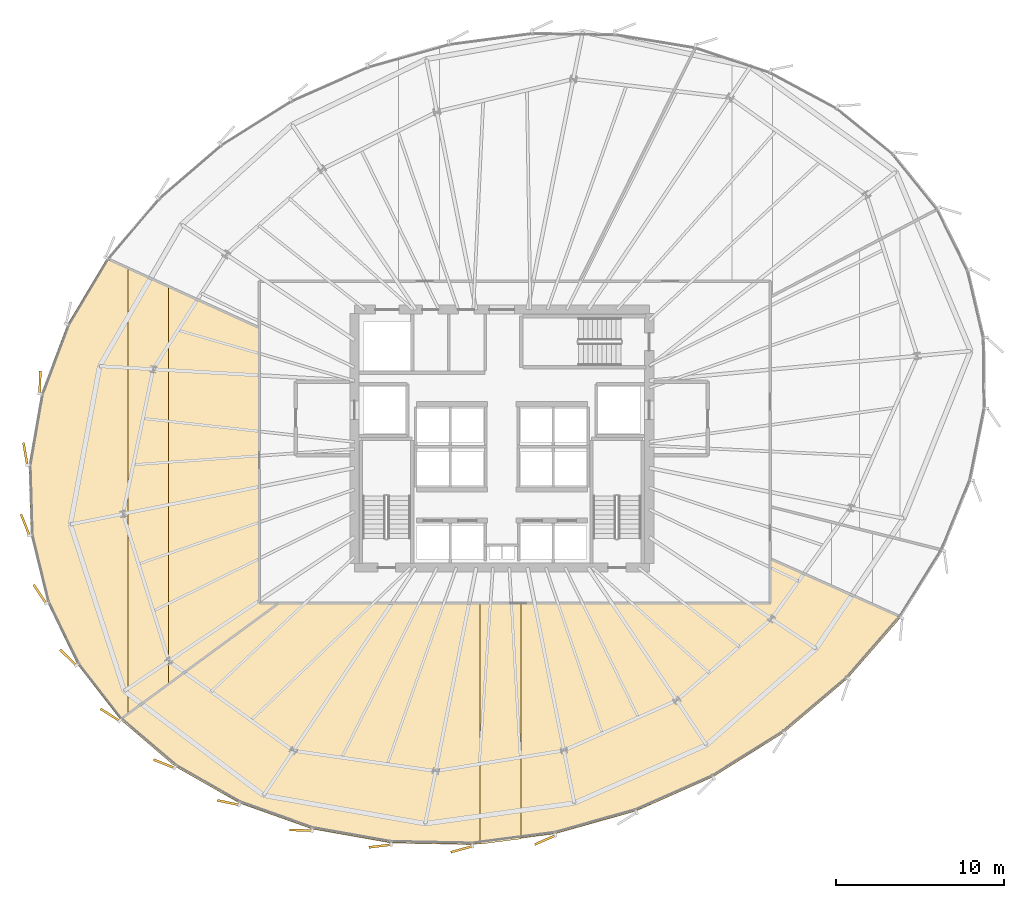
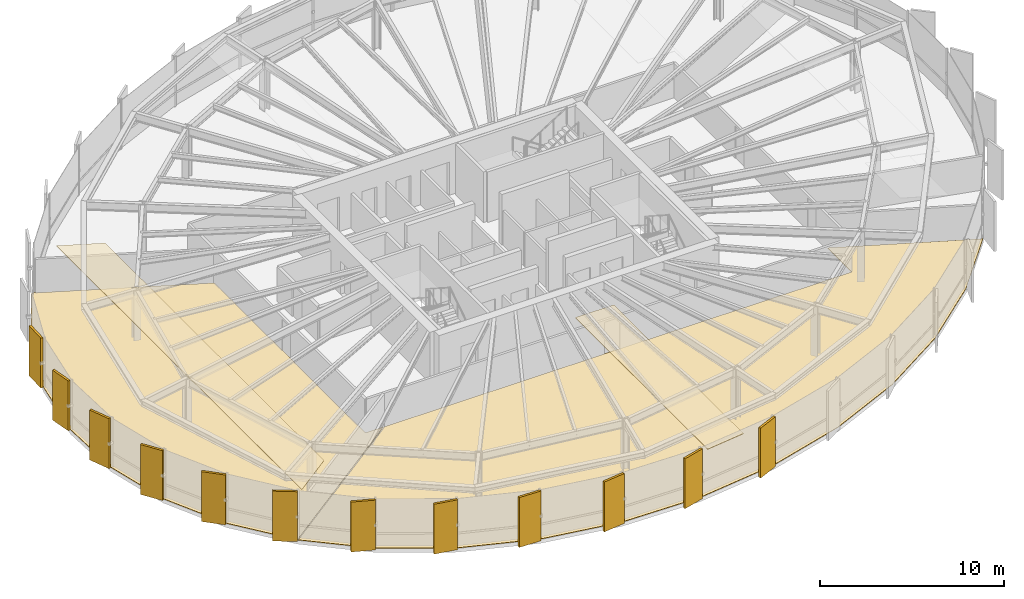
# One storey, part 30 of 33: 16 coverings.
"""IFC4 building model written with IfcOpenShell, lengths in metres."""

from ifc_helpers import new_model, si_unit, direction, frame, origin, origin_2d, place, context, subcontext, project, spatial, polyline, rectangle, outline, extrude, source, transform, mapped, material, layer, layer_set, type_object, element, save


model = new_model("IFC4")

# Units and contexts
model_context = context("Model", 3, precision=1e-05, world=origin(), true_north=direction((0.0, 1.0)))
body_context = subcontext(model_context, "Body", "Model", "MODEL_VIEW")
ifc_project = project(units=[si_unit("LENGTHUNIT", "METRE"), si_unit("AREAUNIT", "SQUARE_METRE"), si_unit("VOLUMEUNIT", "CUBIC_METRE"), si_unit("PLANEANGLEUNIT", "RADIAN"), si_unit("MASSUNIT", "GRAM", prefix="KILO"), si_unit("THERMODYNAMICTEMPERATUREUNIT", "KELVIN")], contexts=[model_context])

# Site, building, storey
site_placement = place(None, origin())
site = spatial("IfcSite", under=ifc_project, at=site_placement, CompositionType="ELEMENT")
building_placement = place(site_placement, origin())
building = spatial("IfcBuilding", under=site, at=building_placement, Name="Kethvar Cultural Tower", CompositionType="ELEMENT")
storey_placement = place(building_placement, frame((0.0, 0.0, 114.39990234375)))
storey = spatial("IfcBuildingStorey", under=building, at=storey_placement, Name="L28", CompositionType="ELEMENT", Elevation=114.39990234375)

# Coverings
ifc_material_1 = material(Name="Acoustic Mineral Fibre Ceiling")
ifc_layer_1 = layer(ifc_material_1, 0.0400390625, Name="Acoustic Mineral Fibre Ceiling")
ifc_layer_set_1 = layer_set([ifc_layer_1], Name="Acoustic Mineral Fibre Ceiling (40 mm)")
covering_type_1 = type_object("IfcCoveringType", Name="CV-ACOUSTIC-CEIL", PredefinedType="CEILING", material=ifc_layer_set_1)
covering_1_placement = place(storey_placement, frame((0.0, 0.0, 3.0)))
element("IfcCovering", 1, at=covering_1_placement, inside=storey, type_object=covering_type_1, Name="L28 Room 01 Acoustic Ceiling Panel", PredefinedType="CEILING", context=body_context, shape_type="SweptSolid", body=[
    extrude(outline(polyline([(45.506591796875, 3.58837890625), (45.506591796875, 18.0), (47.9365234375, 18.0), (47.9365234375, 3.904541015625), (45.506591796875, 3.58837890625)])), origin(), (0.0, 0.0, 1.0), 0.0400390625),
])
covering_2_placement = place(storey_placement, frame((0.0, 0.0, 3.0)))
element("IfcCovering", 2, at=covering_2_placement, inside=storey, type_object=covering_type_1, Name="L28 Room 06 Acoustic Ceiling Panel", PredefinedType="CEILING", context=body_context, shape_type="SweptSolid", body=[
    extrude(outline(polyline([(26.902587890625, 36.9033203125), (26.902587890625, 13.09814453125), (24.47265625, 11.305908203125), (24.47265625, 38.012451171875), (26.902587890625, 36.9033203125)])), origin(), (0.0, 0.0, 1.0), 0.0400390625),
])
ifc_material_2 = material(Name="Architectural Oak Timber", Category="wood")
ifc_layer_2 = layer(ifc_material_2, 0.02490234375, Name="Architectural Oak Timber", Category="wood")
ifc_layer_set_2 = layer_set([ifc_layer_2], Name="Architectural Oak Timber (25 mm)")
covering_type_2 = type_object("IfcCoveringType", Name="CV-OAK-FLOOR", PredefinedType="FLOORING", material=ifc_layer_set_2)
covering_3_placement = place(storey_placement, origin())
element("IfcCovering", 3, at=covering_3_placement, inside=storey, type_object=covering_type_2, Name="L28 Room 01 Floor Finish", PredefinedType="FLOORING", context=body_context, shape_type="SweptSolid", body=[
    extrude(outline(polyline([(67.42822265625, 13.47802734375), (63.65087890625, 10.267578125), (59.402587890625, 7.604736328125), (54.80419921875, 5.567626953125), (49.971923828125, 4.20947265625), (45.043212890625, 3.568359375), (40.168212890625, 3.663818359375), (35.49462890625, 4.492431640625), (31.164794921875, 6.029541015625), (27.310302734375, 8.227783203125), (24.06591796875, 11.005615234375), (33.493896484375, 17.9599609375), (62.83203125, 17.960205078125), (62.85009765625, 20.589599609375), (70.6005859375, 17.118408203125), (67.42822265625, 13.47802734375)])), origin(), (0.0, 0.0, 1.0), 0.025146484375),
])
covering_4_placement = place(storey_placement, origin())
element("IfcCovering", 4, at=covering_4_placement, inside=storey, type_object=covering_type_2, Name="L28 Room 06 Floor Finish", PredefinedType="FLOORING", context=body_context, shape_type="SweptSolid", body=[
    extrude(outline(polyline([(21.477294921875, 14.322998046875), (19.67578125, 18.03466796875), (18.697998046875, 22.04296875), (18.573974609375, 26.226318359375), (19.307373046875, 30.45751953125), (20.8759765625, 34.608154296875), (23.22412109375, 38.53857421875), (32.31005859375, 34.391357421875), (32.31005859375, 17.97802734375), (33.426513671875, 17.9599609375), (24.03759765625, 11.034423828125), (21.477294921875, 14.322998046875)])), origin(), (0.0, 0.0, 1.0), 0.025146484375),
])
ifc_material_3 = material(Name="Extruded Architectural Terracotta", Category="masonry")
ifc_layer_3 = layer(ifc_material_3, 0.135009765625, Name="Extruded Architectural Terracotta", Category="masonry")
ifc_layer_set_3 = layer_set([ifc_layer_3], Name="Extruded Architectural Terracotta (135 mm)")
covering_type_3 = type_object("IfcCoveringType", Name="Terracotta Facade Fin FIN-02", PredefinedType="CLADDING", material=ifc_layer_set_3)
shared_shape = source(origin(), body_context, "Body", "SweptSolid", [
    extrude(rectangle(XDim=1.35009765625, YDim=0.135009765625, at=origin_2d()), origin(), (0.0, 0.0, 1.0), 3.31005859375),
])
for number, where, z_axis, x_axis, name in (
    (5, (19.230712890625, 31.151123046875, 0.02001953125), (0.0, 0.0, 1.0), (0.03193409516, 0.999489976721, 0.0), "L28 Vertical Terracotta Fin 3.4"),
    (6, (18.360107421875, 26.890625, 0.02001953125), (0.0, 0.0, 1.0), (-0.168489379565, 0.985703469089, 0.0), "L28 Vertical Terracotta Fin 3.5"),
    (7, (18.3505859375, 22.6484375, 0.02001953125), (0.0, 0.0, 1.0), (-0.369908915867, 0.9290680244, 0.0), "L28 Vertical Terracotta Fin 3.6"),
    (8, (19.2255859375, 18.518310546875, 0.02001953125), (0.0, 0.0, 1.0), (-0.557600236013, 0.830109617338, 0.0), "L28 Vertical Terracotta Fin 4.1"),
    (9, (20.912353515625, 14.73291015625, 0.02001953125), (0.0, 0.0, 1.0), (-0.718126297763, 0.695912796592, 0.0), "L28 Vertical Terracotta Fin 4.2"),
    (10, (23.412841796875, 11.309326171875, 0.02001953125), (0.0, 0.0, 1.0), (-0.842734381236, 0.53832960413, 0.0), "L28 Vertical Terracotta Fin 4.3"),
    (11, (26.632080078125, 8.3916015625, 0.02001953125), (0.0, 0.0, 1.0), (-0.929132571534, 0.369746757274, 0.0), "L28 Vertical Terracotta Fin 4.4"),
    (12, (30.468505859375, 6.071044921875, 0.02001953125), (0.0, 0.0, 1.0), (-0.979785280755, 0.200052002278, 0.0), "L28 Vertical Terracotta Fin 4.5"),
    (13, (34.801025390625, 4.418701171875, 0.02001953125), (0.0, 0.0, 1.0), (-0.999353732381, 0.035946037002, 0.0), "L28 Vertical Terracotta Fin 4.6"),
    (14, (39.533203125, 3.482177734375, 0.02001953125), (0.0, 0.0, 1.0), (-0.992799217114, -0.119790293837, 0.0), "L28 Vertical Terracotta Fin 5.1"),
    (15, (44.40380859375, 3.289794921875, 0.02001953125), (0.0, 0.0, 1.0), (-0.964049041264, -0.265724379832, 0.0), "L28 Vertical Terracotta Fin 5.2"),
    (16, (49.37939453125, 3.841552734375, 0.02001953125), (0.0, 0.0, 1.0), (-0.91566259334, -0.401947776656, 0.0), "L28 Vertical Terracotta Fin 5.3"),
):
    element("IfcCovering", number, at=place(storey_placement, frame(where, z_axis=z_axis, x_axis=x_axis)), inside=storey, type_object=covering_type_3, Name=name, PredefinedType="CLADDING", context=body_context, shape_type="MappedRepresentation", body=[
        mapped(shared_shape, transform((0.0, 0.0, 0.0), scale=1.0)),
    ])

save(model, "model.ifc")
